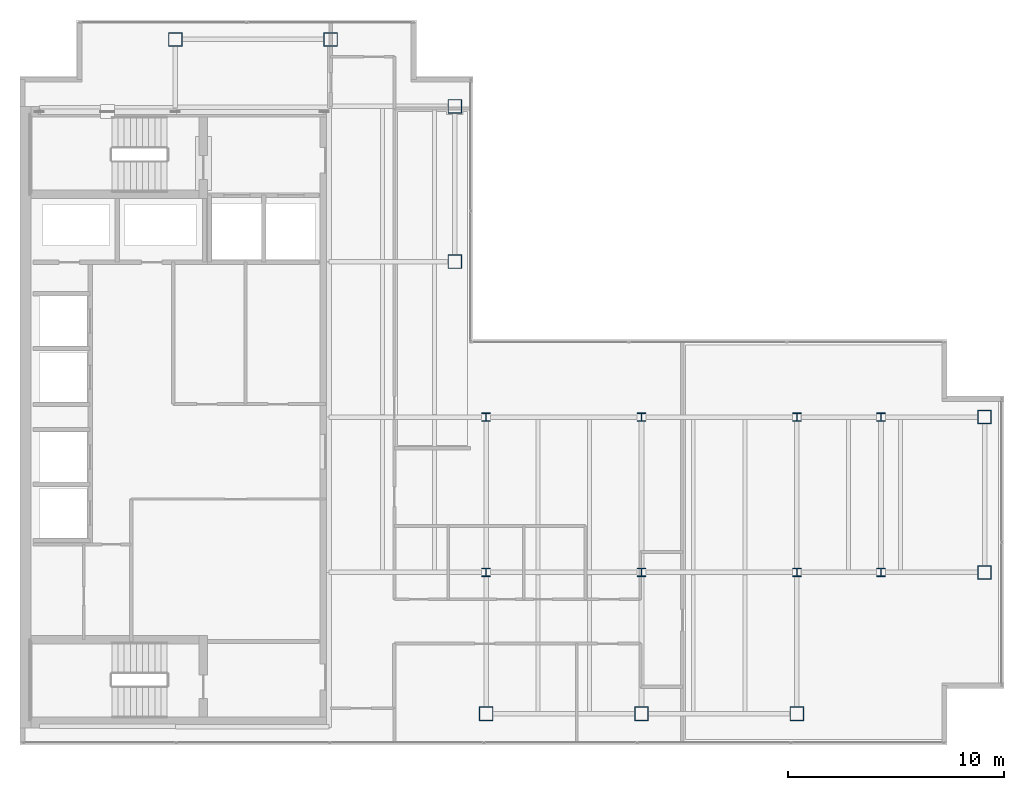
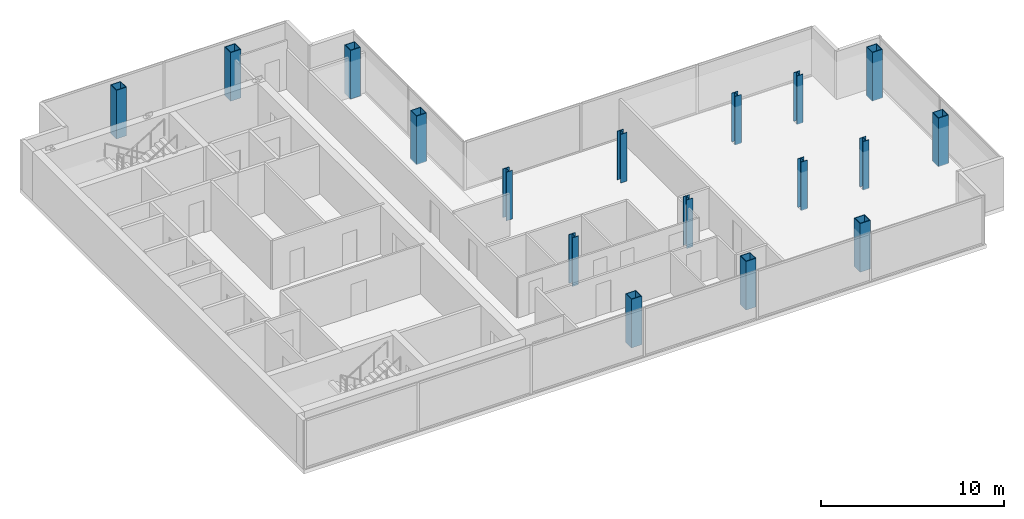
# One storey, part 1 of 23: 17 columns.
"""IFC4 building model written with IfcOpenShell, lengths in metres."""

from ifc_helpers import new_model, si_unit, direction, frame, origin, origin_2d, place, context, subcontext, project, spatial, hollow_rectangle, i_section, extrude, material, material_profile, profile_set, type_object, element, save


model = new_model("IFC4")

# Units and contexts
model_context = context("Model", 3, precision=1e-05, world=origin(), true_north=direction((0.0, 1.0)))
body_context = subcontext(model_context, "Body", "Model", "MODEL_VIEW")
ifc_project = project(units=[si_unit("LENGTHUNIT", "METRE"), si_unit("AREAUNIT", "SQUARE_METRE"), si_unit("VOLUMEUNIT", "CUBIC_METRE"), si_unit("PLANEANGLEUNIT", "RADIAN"), si_unit("MASSUNIT", "GRAM", prefix="KILO")], contexts=[model_context])

# Site, building, storey
site_placement = place(None, origin())
site = spatial("IfcSite", under=ifc_project, at=site_placement, CompositionType="ELEMENT")
building_placement = place(site_placement, origin())
building = spatial("IfcBuilding", under=site, at=building_placement, Name="Cobrela Telecom Tower", CompositionType="ELEMENT")
storey_placement = place(building_placement, frame((0.0, 0.0, 272.64990234375)))
storey = spatial("IfcBuildingStorey", under=building, at=storey_placement, Name="L71", CompositionType="ELEMENT", Elevation=272.64990234375)

# Columns
ifc_material_1 = material(Name="Steel ASTM A992 Grade 50", Category="steel")
ifc_material_profile_1 = material_profile(ifc_material_1, i_section(OverallWidth=0.39892578125, OverallDepth=0.39404296875, WebThickness=0.022705078125, FlangeThickness=0.03662109375, FilletRadius=0.01806640625, at=origin_2d()), Name="W14X193")
ifc_profile_set_1 = profile_set([ifc_material_profile_1], Name="Steel ASTM A992 Grade 50")
column_type_1 = type_object("IfcColumnType", Name="COL-INT-06", PredefinedType="COLUMN", material=ifc_profile_set_1)
for number, where, z_axis, x_axis, name in (
    (1, (21.60009765625, 14.39990234375, 0.0), (0.0, 0.0, 1.0), (1.0, 0.0, 0.0), "L71 Interior Column 06"),
    (2, (21.60009765625, 21.60009765625, 0.0), (0.0, 0.0, 1.0), (1.0, 0.0, 0.0), "L71 Interior Column 07"),
    (3, (28.800048828125, 14.39990234375, 0.0), (0.0, 0.0, 1.0), (1.0, 0.0, 0.0), "L71 Interior Column 09"),
    (4, (28.800048828125, 21.60009765625, 0.0), (0.0, 0.0, 1.0), (1.0, 0.0, 0.0), "L71 Interior Column 10"),
    (5, (36.0, 14.39990234375, 0.0), (0.0, 0.0, 1.0), (1.0, 0.0, 0.0), "L71 Interior Column 12"),
    (6, (36.0, 21.60009765625, 0.0), (0.0, 0.0, 1.0), (1.0, 0.0, 0.0), "L71 Interior Column 13"),
    (7, (39.89990234375, 14.39990234375, 0.0), (0.0, 0.0, 1.0), (1.0, 0.0, 0.0), "L71 Interior Column 14"),
    (8, (39.89990234375, 21.60009765625, 0.0), (0.0, 0.0, 1.0), (1.0, 0.0, 0.0), "L71 Interior Column 15"),
):
    element("IfcColumn", number, at=place(storey_placement, frame(where, z_axis=z_axis, x_axis=x_axis)), inside=storey, type_object=column_type_1, Name=name, PredefinedType="COLUMN", context=body_context, shape_type="SweptSolid", body=[
        extrude(i_section(OverallWidth=0.39892578125, OverallDepth=0.39404296875, WebThickness=0.022705078125, FlangeThickness=0.03662109375, FilletRadius=0.01806640625, at=origin_2d()), origin(), (0.0, 0.0, 1.0), 3.239990234375),
    ])
ifc_material_2 = material(Name="Steel ASTM A572 Grade 50", Category="steel")
ifc_material_profile_2 = material_profile(ifc_material_2, hollow_rectangle(XDim=0.64990234375, YDim=0.64990234375, WallThickness=0.0400390625, at=origin_2d()), Name="BOX 650x650x40")
ifc_profile_set_2 = profile_set([ifc_material_profile_2], Name="Steel ASTM A572 Grade 50")
column_type_2 = type_object("IfcColumnType", Name="COL-MEGA-09", PredefinedType="COLUMN", material=ifc_profile_set_2)
for number, where, z_axis, x_axis, name in (
    (9, (7.199951171875, 39.10009765625, 0.0), (0.0, 0.0, 1.0), (1.0, 0.0, 0.0), "L71 Perimeter Mega-Column 01"),
    (10, (14.39990234375, 39.10009765625, 0.0), (0.0, 0.0, 1.0), (1.0, 0.0, 0.0), "L71 Perimeter Mega-Column 02"),
    (11, (20.14990234375, 28.800048828125, 0.0), (0.0, 0.0, 1.0), (1.0, 0.0, 0.0), "L71 Perimeter Mega-Column 03"),
    (12, (20.14990234375, 36.0, 0.0), (0.0, 0.0, 1.0), (1.0, 0.0, 0.0), "L71 Perimeter Mega-Column 04"),
    (13, (21.60009765625, 7.85009765625, 0.0), (0.0, 0.0, 1.0), (1.0, 0.0, 0.0), "L71 Perimeter Mega-Column 05"),
    (14, (28.800048828125, 7.85009765625, 0.0), (0.0, 0.0, 1.0), (1.0, 0.0, 0.0), "L71 Perimeter Mega-Column 08"),
    (15, (36.0, 7.85009765625, 0.0), (0.0, 0.0, 1.0), (1.0, 0.0, 0.0), "L71 Perimeter Mega-Column 11"),
    (16, (44.699951171875, 14.39990234375, 0.0), (0.0, 0.0, 1.0), (1.0, 0.0, 0.0), "L71 Perimeter Mega-Column 16"),
    (17, (44.699951171875, 21.60009765625, 0.0), (0.0, 0.0, 1.0), (1.0, 0.0, 0.0), "L71 Perimeter Mega-Column 17"),
):
    element("IfcColumn", number, at=place(storey_placement, frame(where, z_axis=z_axis, x_axis=x_axis)), inside=storey, type_object=column_type_2, Name=name, PredefinedType="COLUMN", context=body_context, shape_type="SweptSolid", body=[
        extrude(hollow_rectangle(XDim=0.64990234375, YDim=0.64990234375, WallThickness=0.0400390625, at=origin_2d()), origin(), (0.0, 0.0, 1.0), 3.239990234375),
    ])

save(model, "model.ifc")
